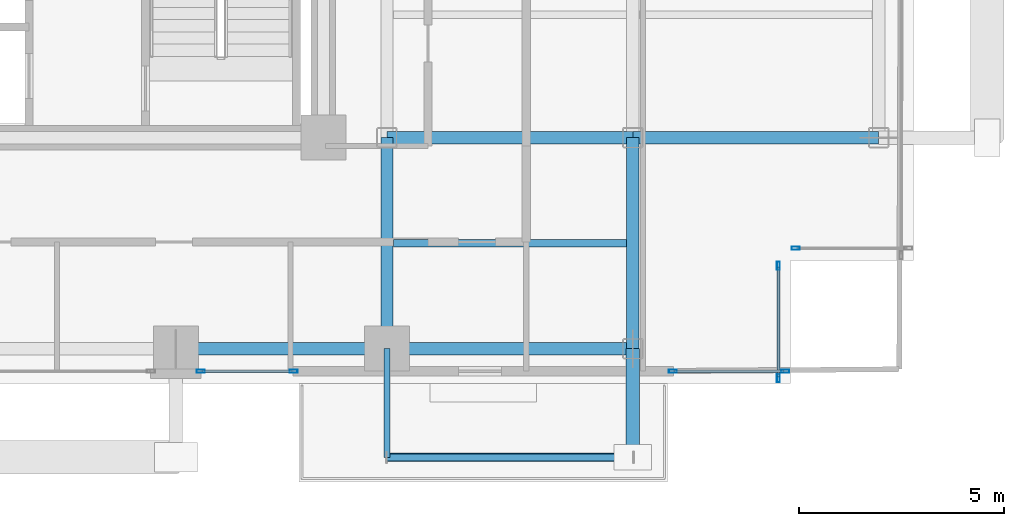
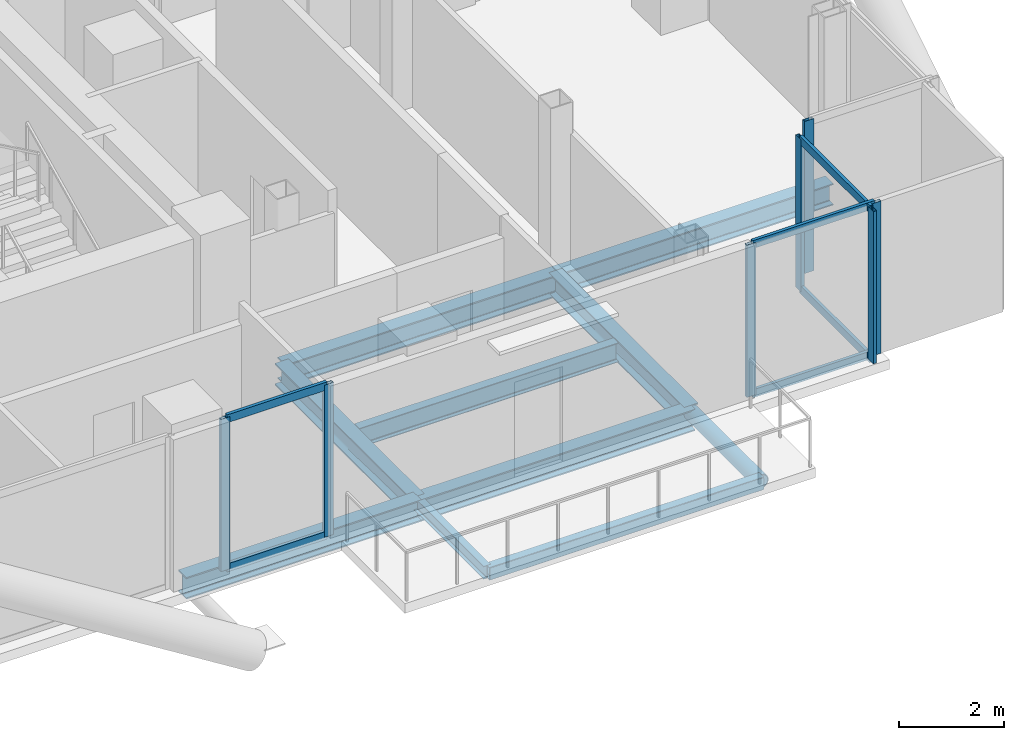
# One storey, part 10 of 28: 14 members, 9 beams, 4 elements without a shape of their own.
"""IFC4 building model written with IfcOpenShell, lengths in metres."""

from ifc_helpers import new_model, si_unit, direction, frame, origin, origin_2d, place, context, subcontext, project, spatial, hollow_rectangle, hollow_circle, i_section, extrude, material, layer, layer_set, material_profile, profile_set, type_object, element, aggregate, save


model = new_model("IFC4")

# Units and contexts
model_context = context("Model", 3, precision=1e-05, world=origin(), true_north=direction((0.0, 1.0)))
body_context = subcontext(model_context, "Body", "Model", "MODEL_VIEW")
ifc_project = project(units=[si_unit("LENGTHUNIT", "METRE"), si_unit("AREAUNIT", "SQUARE_METRE"), si_unit("VOLUMEUNIT", "CUBIC_METRE"), si_unit("PLANEANGLEUNIT", "RADIAN"), si_unit("MASSUNIT", "GRAM", prefix="KILO"), si_unit("THERMODYNAMICTEMPERATUREUNIT", "KELVIN"), si_unit("POWERUNIT", "WATT")], contexts=[model_context])

# Site, building, storey
site_placement = place(None, origin())
site = spatial("IfcSite", under=ifc_project, at=site_placement, CompositionType="ELEMENT")
building_placement = place(site_placement, origin())
building = spatial("IfcBuilding", under=site, at=building_placement, Name="Svarakhadi Broadcast Tower", CompositionType="ELEMENT")
storey_placement = place(building_placement, frame((0.0, 0.0, 149.39990234375)))
storey = spatial("IfcBuildingStorey", under=building, at=storey_placement, Name="L36", CompositionType="ELEMENT", Elevation=149.39990234375)

# Beam
ifc_material_1 = material(Name="Steel S355J2 (IS 2062 E350C)", Category="steel")
ifc_material_profile_1 = material_profile(ifc_material_1, i_section(OverallWidth=0.18994140625, OverallDepth=0.449951171875, WebThickness=0.009521484375, FlangeThickness=0.0146484375, FilletRadius=0.02099609375, at=origin_2d()), Name="NPB 450x190x78")
ifc_profile_set_1 = profile_set([ifc_material_profile_1], Name="Steel S355J2 (IS 2062 E350C)")
beam_type_1 = type_object("IfcBeamType", Name="Beam_NPB450", PredefinedType="BEAM", material=ifc_profile_set_1)
beam_1_placement = place(storey_placement, frame((35.31005859375, 3.425048828125, -0.449951171875), z_axis=(1.0, 0.0, 0.0), x_axis=(0.0, 1.0, 0.0)))
element("IfcBeam", 1, at=beam_1_placement, inside=storey, type_object=beam_type_1, Name="L36 Secondary Composite Beam SB019", PredefinedType="BEAM", context=body_context, shape_type="SweptSolid", body=[
    extrude(i_section(OverallWidth=0.18994140625, OverallDepth=0.449951171875, WebThickness=0.009521484375, FlangeThickness=0.0146484375, FilletRadius=0.02099609375, at=origin_2d()), origin(), (0.0, 0.0, 1.0), 5.679931640625),
])

# Curtain wall, member
ifc_material_2 = material(Name="Anodised Bronze Aluminium AA 6063-T6", Category="aluminium")
ifc_layer = layer(ifc_material_2, 0.199951171875)
ifc_layer_set = layer_set([ifc_layer], Name="Anodised Bronze Aluminium AA 6063-T6")
curtain_wall_type = type_object("IfcCurtainWallType", Name="CW_Sys_03", PredefinedType="NOTDEFINED", material=ifc_layer_set)
curtain_wall_1_placement = place(storey_placement, origin())
curtain_wall_1 = element("IfcCurtainWall", 2, at=curtain_wall_1_placement, inside=storey, type_object=curtain_wall_type, Name="L36 Unitised Facade Curtain Wall 14", PredefinedType="NOTDEFINED")
ifc_material_profile_2 = material_profile(ifc_material_2, hollow_rectangle(XDim=0.074951171875, YDim=0.199951171875, WallThickness=0.005615234375, at=origin_2d()), Name="ALU MULLION 200x75x6")
ifc_profile_set_2 = profile_set([ifc_material_profile_2], Name="Anodised Bronze Aluminium AA 6063-T6")
member_type_1 = type_object("IfcMemberType", Name="CW_Sys_03_Mul", PredefinedType="MULLION", material=ifc_profile_set_2)
member_1_placement = place(storey_placement, frame((45.12744140625, 3.300048828125, 0.0), z_axis=(0.0, 0.0, 1.0), x_axis=(0.0, -1.0, 0.0)))
member_1 = element("IfcMember", 3, at=member_1_placement, type_object=member_type_1, Name="CW-03 mullion 2", PredefinedType="MULLION", context=body_context, shape_type="SweptSolid", body=[
    extrude(hollow_rectangle(XDim=0.074951171875, YDim=0.199951171875, WallThickness=0.005615234375, at=origin_2d()), origin(), (0.0, 0.0, 1.0), 3.525146484375),
])
aggregate(curtain_wall_1, [member_1])

# Curtain wall, members
curtain_wall_2_placement = place(storey_placement, origin())
curtain_wall_2 = element("IfcCurtainWall", 4, at=curtain_wall_2_placement, inside=storey, type_object=curtain_wall_type, Name="L36 Unitised Facade Curtain Wall 15", PredefinedType="NOTDEFINED")
member_2_placement = place(storey_placement, frame((44.699951171875, 2.87255859375, 0.0), z_axis=(0.0, 0.0, 1.0), x_axis=(1.0, 0.0, 0.0)))
member_2 = element("IfcMember", 5, at=member_2_placement, type_object=member_type_1, Name="CW-03 mullion 1", PredefinedType="MULLION", context=body_context, shape_type="SweptSolid", body=[
    extrude(hollow_rectangle(XDim=0.074951171875, YDim=0.199951171875, WallThickness=0.005615234375, at=origin_2d()), origin(), (0.0, 0.0, 1.0), 3.525146484375),
])
member_3_placement = place(storey_placement, frame((44.699951171875, 0.12744140625, 0.0), z_axis=(0.0, 0.0, 1.0), x_axis=(1.0, 0.0, 0.0)))
member_3 = element("IfcMember", 6, at=member_3_placement, type_object=member_type_1, Name="CW-03 mullion 2", PredefinedType="MULLION", context=body_context, shape_type="SweptSolid", body=[
    extrude(hollow_rectangle(XDim=0.074951171875, YDim=0.199951171875, WallThickness=0.005615234375, at=origin_2d()), origin(), (0.0, 0.0, 1.0), 3.525146484375),
])

curtain_wall_3_placement = place(storey_placement, origin())
curtain_wall_3 = element("IfcCurtainWall", 7, at=curtain_wall_3_placement, inside=storey, type_object=curtain_wall_type, Name="L36 South Curtain Wall 16", PredefinedType="NOTDEFINED")
member_4_placement = place(storey_placement, frame((44.87255859375, 0.300048828125, 0.0), z_axis=(0.0, 0.0, 1.0), x_axis=(0.0, -1.0, 0.0)))
member_4 = element("IfcMember", 8, at=member_4_placement, type_object=member_type_1, Name="CW-03 mullion 1", PredefinedType="MULLION", context=body_context, shape_type="SweptSolid", body=[
    extrude(hollow_rectangle(XDim=0.074951171875, YDim=0.199951171875, WallThickness=0.005615234375, at=origin_2d()), origin(), (0.0, 0.0, 1.0), 3.525146484375),
])
member_5_placement = place(storey_placement, frame((42.12744140625, 0.300048828125, 0.0), z_axis=(0.0, 0.0, 1.0), x_axis=(0.0, -1.0, 0.0)))
member_5 = element("IfcMember", 9, at=member_5_placement, type_object=member_type_1, Name="CW-03 mullion 2", PredefinedType="MULLION", context=body_context, shape_type="SweptSolid", body=[
    extrude(hollow_rectangle(XDim=0.074951171875, YDim=0.199951171875, WallThickness=0.005615234375, at=origin_2d()), origin(), (0.0, 0.0, 1.0), 3.525146484375),
])

curtain_wall_4_placement = place(storey_placement, origin())
curtain_wall_4 = element("IfcCurtainWall", 10, at=curtain_wall_4_placement, inside=storey, type_object=curtain_wall_type, Name="L36 South Curtain Wall 17 Bay 1", PredefinedType="NOTDEFINED")
member_6_placement = place(storey_placement, frame((32.87255859375, 0.300048828125, 0.0), z_axis=(0.0, 0.0, 1.0), x_axis=(0.0, -1.0, 0.0)))
member_6 = element("IfcMember", 11, at=member_6_placement, type_object=member_type_1, Name="CW-03 mullion 1", PredefinedType="MULLION", context=body_context, shape_type="SweptSolid", body=[
    extrude(hollow_rectangle(XDim=0.074951171875, YDim=0.199951171875, WallThickness=0.005615234375, at=origin_2d()), origin(), (0.0, 0.0, 1.0), 3.525146484375),
])
member_7_placement = place(storey_placement, frame((30.607421875, 0.300048828125, 0.0), z_axis=(0.0, 0.0, 1.0), x_axis=(0.0, -1.0, 0.0)))
member_7 = element("IfcMember", 12, at=member_7_placement, type_object=member_type_1, Name="CW-03 mullion 2", PredefinedType="MULLION", context=body_context, shape_type="SweptSolid", body=[
    extrude(hollow_rectangle(XDim=0.074951171875, YDim=0.199951171875, WallThickness=0.005615234375, at=origin_2d()), origin(), (0.0, 0.0, 1.0), 3.525146484375),
])

# Member
ifc_material_profile_3 = material_profile(ifc_material_2, hollow_rectangle(XDim=0.070068359375, YDim=0.18505859375, WallThickness=0.0048828125, at=origin_2d()), Name="ALU TRANSOM 185x70x5")
ifc_profile_set_3 = profile_set([ifc_material_profile_3], Name="Anodised Bronze Aluminium AA 6063-T6")
member_type_2 = type_object("IfcMemberType", Name="CW_Sys_03_Trn", PredefinedType="USERDEFINED", material=ifc_profile_set_3)
member_8_placement = place(storey_placement, frame((44.699951171875, 2.8349609375, 0.03515625), z_axis=(0.0, -1.0, 0.0), x_axis=(1.0, 0.0, 0.0)))
member_8 = element("IfcMember", 13, at=member_8_placement, type_object=member_type_2, Name="CW-03 transom 1.1", ObjectType="TRANSOM", PredefinedType="USERDEFINED", context=body_context, shape_type="SweptSolid", body=[
    extrude(hollow_rectangle(XDim=0.070068359375, YDim=0.18505859375, WallThickness=0.0048828125, at=origin_2d()), origin(), (0.0, 0.0, 1.0), 2.669921875),
])

member_9_placement = place(storey_placement, frame((44.699951171875, 2.8349609375, 3.489990234375), z_axis=(0.0, -1.0, 0.0), x_axis=(1.0, 0.0, 0.0)))
member_9 = element("IfcMember", 14, at=member_9_placement, type_object=member_type_2, Name="CW-03 transom 1.2", ObjectType="TRANSOM", PredefinedType="USERDEFINED", context=body_context, shape_type="SweptSolid", body=[
    extrude(hollow_rectangle(XDim=0.070068359375, YDim=0.18505859375, WallThickness=0.0048828125, at=origin_2d()), origin(), (0.0, 0.0, 1.0), 2.669921875),
])

aggregate(curtain_wall_2, [member_2, member_3, member_8, member_9])

member_10_placement = place(storey_placement, frame((44.8349609375, 0.300048828125, 0.03515625), z_axis=(-1.0, 0.0, 0.0), x_axis=(0.0, -1.0, 0.0)))
member_10 = element("IfcMember", 15, at=member_10_placement, type_object=member_type_2, Name="CW-03 transom 1.1", ObjectType="TRANSOM", PredefinedType="USERDEFINED", context=body_context, shape_type="SweptSolid", body=[
    extrude(hollow_rectangle(XDim=0.070068359375, YDim=0.18505859375, WallThickness=0.0048828125, at=origin_2d()), origin(), (0.0, 0.0, 1.0), 2.669921875),
])

member_11_placement = place(storey_placement, frame((44.8349609375, 0.300048828125, 3.489990234375), z_axis=(-1.0, 0.0, 0.0), x_axis=(0.0, -1.0, 0.0)))
member_11 = element("IfcMember", 16, at=member_11_placement, type_object=member_type_2, Name="CW-03 transom 1.2", ObjectType="TRANSOM", PredefinedType="USERDEFINED", context=body_context, shape_type="SweptSolid", body=[
    extrude(hollow_rectangle(XDim=0.070068359375, YDim=0.18505859375, WallThickness=0.0048828125, at=origin_2d()), origin(), (0.0, 0.0, 1.0), 2.669921875),
])

aggregate(curtain_wall_3, [member_4, member_5, member_10, member_11])

member_12_placement = place(storey_placement, frame((32.8349609375, 0.300048828125, 0.03515625), z_axis=(-1.0, 0.0, 0.0), x_axis=(0.0, -1.0, 0.0)))
member_12 = element("IfcMember", 17, at=member_12_placement, type_object=member_type_2, Name="CW-03 transom 1.1", ObjectType="TRANSOM", PredefinedType="USERDEFINED", context=body_context, shape_type="SweptSolid", body=[
    extrude(hollow_rectangle(XDim=0.070068359375, YDim=0.18505859375, WallThickness=0.0048828125, at=origin_2d()), origin(), (0.0, 0.0, 1.0), 2.18994140625),
])

member_13_placement = place(storey_placement, frame((32.8349609375, 0.300048828125, 3.489990234375), z_axis=(-1.0, 0.0, 0.0), x_axis=(0.0, -1.0, 0.0)))
member_13 = element("IfcMember", 18, at=member_13_placement, type_object=member_type_2, Name="CW-03 transom 1.2", ObjectType="TRANSOM", PredefinedType="USERDEFINED", context=body_context, shape_type="SweptSolid", body=[
    extrude(hollow_rectangle(XDim=0.070068359375, YDim=0.18505859375, WallThickness=0.0048828125, at=origin_2d()), origin(), (0.0, 0.0, 1.0), 2.18994140625),
])

aggregate(curtain_wall_4, [member_6, member_7, member_12, member_13])

ifc_material_3 = material(Name="Steel S460ML (IS 2062 E450BR)", Category="steel")
ifc_material_profile_4 = material_profile(ifc_material_3, hollow_circle(Radius=0.161865234375, WallThickness=0.01611328125, at=origin_2d()), Name="CHS 323.9x16")
ifc_profile_set_4 = profile_set([ifc_material_profile_4], Name="Steel S460ML (IS 2062 E450BR)")
member_type_3 = type_object("IfcMemberType", Name="Exo_Radial_Strut_Z2", PredefinedType="STRUT", material=ifc_profile_set_4)
member_14_placement = place(storey_placement, frame((41.14990234375, -1.800048828125, -0.386962890625), z_axis=(0.0, 1.0, 0.0), x_axis=(-1.0, 0.0, 0.0)))
element("IfcMember", 19, at=member_14_placement, inside=storey, type_object=member_type_3, Name="L36 Exoskeleton Radial Tie Strut S04", PredefinedType="STRUT", context=body_context, shape_type="SweptSolid", body=[
    extrude(hollow_circle(Radius=0.161865234375, WallThickness=0.01611328125, at=origin_2d()), origin(), (0.0, 0.0, 1.0), 2.650146484375),
])

# Beams
ifc_material_profile_5 = material_profile(ifc_material_1, i_section(OverallWidth=0.300048828125, OverallDepth=0.5, WebThickness=0.014404296875, FlangeThickness=0.028076171875, FilletRadius=0.027099609375, at=origin_2d()), Name="WPB 500x300x187")
ifc_profile_set_5 = profile_set([ifc_material_profile_5], Name="Steel S355J2 (IS 2062 E350C)")
beam_type_2 = type_object("IfcBeamType", Name="Girder_WPB500", PredefinedType="USERDEFINED", material=ifc_profile_set_5)
beam_2_placement = place(storey_placement, frame((30.0, 0.85009765625, -0.474853515625), z_axis=(1.0, 0.0, 0.0), x_axis=(0.0, 1.0, 0.0)))
element("IfcBeam", 20, at=beam_2_placement, inside=storey, type_object=beam_type_2, Name="L36 Primary E-W Girder G008", ObjectType="GIRDER", PredefinedType="USERDEFINED", context=body_context, shape_type="SweptSolid", body=[
    extrude(i_section(OverallWidth=0.300048828125, OverallDepth=0.5, WebThickness=0.014404296875, FlangeThickness=0.028076171875, FilletRadius=0.027099609375, at=origin_2d()), origin(), (0.0, 0.0, 1.0), 5.14990234375),
])
for number, where, z_axis, x_axis, name in (
    (21, (35.14990234375, 0.85009765625, -0.474853515625), (1.0, 0.0, 0.0), (0.0, 1.0, 0.0), "L36 Primary E-W Girder G009"),
    (22, (35.14990234375, 6.0, -0.474853515625), (1.0, 0.0, 0.0), (0.0, 1.0, 0.0), "L36 Primary E-W Girder G015"),
    (23, (41.14990234375, 6.0, -0.474853515625), (1.0, 0.0, 0.0), (0.0, 1.0, 0.0), "L36 Primary E-W Girder G016"),
):
    element("IfcBeam", number, at=place(storey_placement, frame(where, z_axis=z_axis, x_axis=x_axis)), inside=storey, type_object=beam_type_2, Name=name, ObjectType="GIRDER", PredefinedType="USERDEFINED", context=body_context, shape_type="SweptSolid", body=[
        extrude(i_section(OverallWidth=0.300048828125, OverallDepth=0.5, WebThickness=0.014404296875, FlangeThickness=0.028076171875, FilletRadius=0.027099609375, at=origin_2d()), origin(), (0.0, 0.0, 1.0), 6.0),
    ])
for number, where, z_axis, x_axis, name in (
    (24, (35.14990234375, 0.85009765625, -0.474853515625), (0.0, 1.0, 0.0), (-1.0, 0.0, 0.0), "L36 Primary N-S Girder G067"),
    (25, (41.14990234375, 0.85009765625, -0.474853515625), (0.0, 1.0, 0.0), (-1.0, 0.0, 0.0), "L36 Primary N-S Girder G070"),
):
    element("IfcBeam", number, at=place(storey_placement, frame(where, z_axis=z_axis, x_axis=x_axis)), inside=storey, type_object=beam_type_2, Name=name, ObjectType="GIRDER", PredefinedType="USERDEFINED", context=body_context, shape_type="SweptSolid", body=[
        extrude(i_section(OverallWidth=0.300048828125, OverallDepth=0.5, WebThickness=0.014404296875, FlangeThickness=0.028076171875, FilletRadius=0.027099609375, at=origin_2d()), origin(), (0.0, 0.0, 1.0), 5.14990234375),
    ])
ifc_material_profile_6 = material_profile(ifc_material_1, i_section(OverallWidth=0.14990234375, OverallDepth=0.300048828125, WebThickness=0.007080078125, FlangeThickness=0.0107421875, FilletRadius=0.014892578125, at=origin_2d()), Name="NPB 300x150x37")
ifc_profile_set_6 = profile_set([ifc_material_profile_6], Name="Steel S355J2 (IS 2062 E350C)")
beam_type_3 = type_object("IfcBeamType", Name="Spandrel_NPB300", PredefinedType="SPANDREL", material=ifc_profile_set_6)
beam_3_placement = place(storey_placement, frame((35.14990234375, 0.85009765625, -0.375), z_axis=(0.0, -1.0, 0.0), x_axis=(1.0, 0.0, 0.0)))
element("IfcBeam", 26, at=beam_3_placement, inside=storey, type_object=beam_type_3, Name="L36 Balcony Cantilever Bracket 1A", PredefinedType="SPANDREL", context=body_context, shape_type="SweptSolid", body=[
    extrude(i_section(OverallWidth=0.14990234375, OverallDepth=0.300048828125, WebThickness=0.007080078125, FlangeThickness=0.0107421875, FilletRadius=0.014892578125, at=origin_2d()), origin(), (0.0, 0.0, 1.0), 2.650146484375),
])
ifc_material_profile_7 = material_profile(ifc_material_3, hollow_rectangle(XDim=0.199951171875, YDim=0.300048828125, WallThickness=0.012451171875, InnerFilletRadius=0.012451171875, OuterFilletRadius=0.02490234375, at=origin_2d()), Name="RHS 300x200x12.5")
ifc_profile_set_7 = profile_set([ifc_material_profile_7], Name="Steel S460ML (IS 2062 E450BR)")
beam_type_4 = type_object("IfcBeamType", Name="Spandrel_RHS300", PredefinedType="SPANDREL", material=ifc_profile_set_7)
beam_4_placement = place(storey_placement, frame((35.14990234375, -1.800048828125, -0.375), z_axis=(1.0, 0.0, 0.0), x_axis=(0.0, 1.0, 0.0)))
element("IfcBeam", 27, at=beam_4_placement, inside=storey, type_object=beam_type_4, Name="L36 Balcony Outer Spandrel 1F", PredefinedType="SPANDREL", context=body_context, shape_type="SweptSolid", body=[
    extrude(hollow_rectangle(XDim=0.199951171875, YDim=0.300048828125, WallThickness=0.012451171875, InnerFilletRadius=0.012451171875, OuterFilletRadius=0.02490234375, at=origin_2d()), origin(), (0.0, 0.0, 1.0), 6.0),
])

save(model, "model.ifc")
